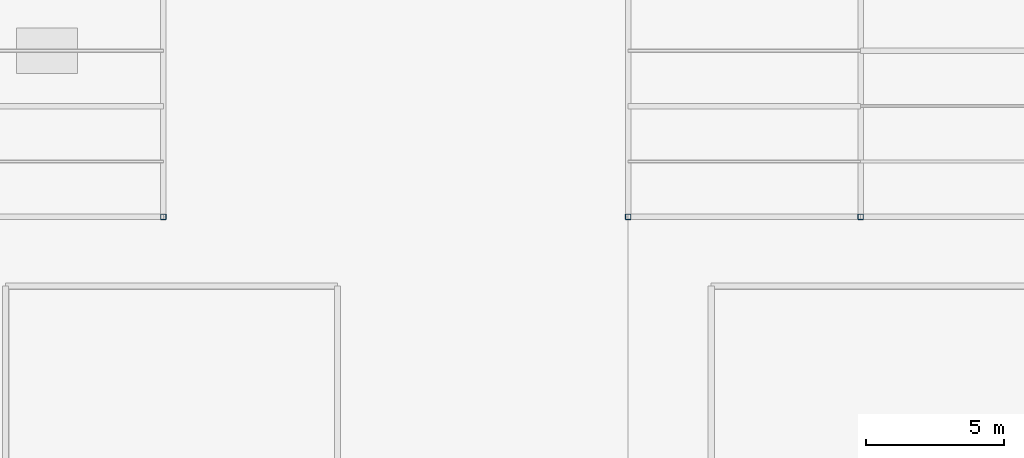
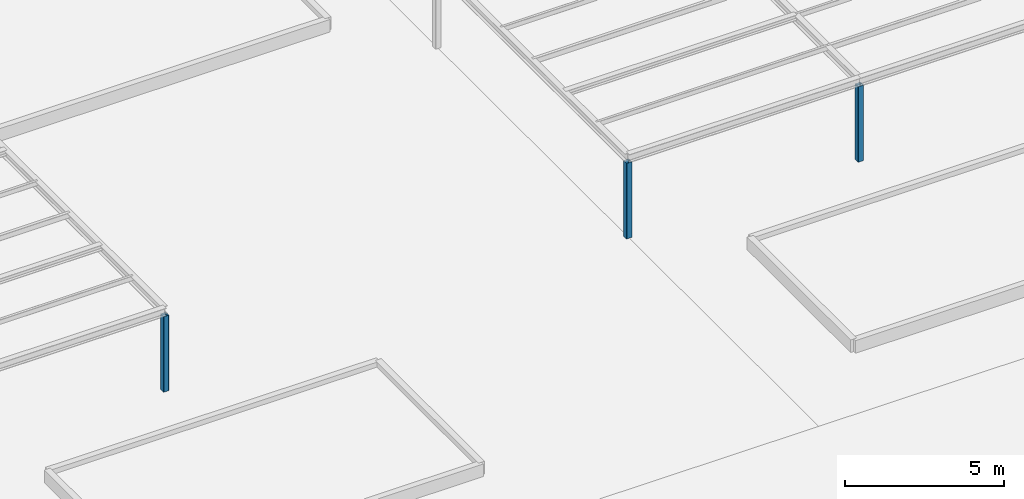
# One storey, part 4 of 49: 3 columns.
"""IFC4 building model written with IfcOpenShell, lengths in metres."""

from ifc_helpers import new_model, si_unit, direction, frame, origin, origin_2d, place, context, subcontext, project, spatial, hollow_rectangle, extrude, material, material_profile, profile_set, type_object, element, save


model = new_model("IFC4")

# Units and contexts
model_context = context("Model", 3, precision=1e-05, world=origin(), true_north=direction((0.0, 1.0)))
body_context = subcontext(model_context, "Body", "Model", "MODEL_VIEW")
ifc_project = project(units=[si_unit("LENGTHUNIT", "METRE"), si_unit("AREAUNIT", "SQUARE_METRE"), si_unit("VOLUMEUNIT", "CUBIC_METRE"), si_unit("PLANEANGLEUNIT", "RADIAN"), si_unit("MASSUNIT", "GRAM", prefix="KILO")], contexts=[model_context])

# Site, building, storey
site_placement = place(None, origin())
site = spatial("IfcSite", under=ifc_project, at=site_placement, CompositionType="ELEMENT")
building_placement = place(site_placement, origin())
building = spatial("IfcBuilding", under=site, at=building_placement, Name="Sitalva Quay Ferry Terminal", CompositionType="ELEMENT")
storey_placement = place(building_placement, frame((0.0, 0.0, 10.199951171875)))
storey = spatial("IfcBuildingStorey", under=building, at=storey_placement, Name="L03", CompositionType="ELEMENT", Elevation=10.199951171875)

# Columns
ifc_material = material(Name="Structural Steel S355JR", Category="steel")
ifc_material_profile = material_profile(ifc_material, hollow_rectangle(XDim=0.199951171875, YDim=0.199951171875, WallThickness=0.010009765625, InnerFilletRadius=0.010009765625, OuterFilletRadius=0.02001953125, at=origin_2d()), Name="SHS200x200x10")
ifc_profile_set = profile_set([ifc_material_profile], Name="Structural Steel S355JR")
column_type = type_object("IfcColumnType", Name="Col_SHS200x10", PredefinedType="COLUMN", material=ifc_profile_set)
for number, where, z_axis, x_axis, name in (
    (1, (109.199951171875, 30.0, 0.0), (0.0, 0.0, 1.0), (1.0, 0.0, 0.0), "L03 column 14E"),
    (2, (126.0, 30.0, 0.0), (0.0, 0.0, 1.0), (1.0, 0.0, 0.0), "L03 column 16E"),
    (3, (134.39990234375, 30.0, 0.0), (0.0, 0.0, 1.0), (1.0, 0.0, 0.0), "L03 column 17E"),
):
    element("IfcColumn", number, at=place(storey_placement, frame(where, z_axis=z_axis, x_axis=x_axis)), inside=storey, type_object=column_type, Name=name, PredefinedType="COLUMN", context=body_context, shape_type="SweptSolid", body=[
        extrude(hollow_rectangle(XDim=0.199951171875, YDim=0.199951171875, WallThickness=0.010009765625, InnerFilletRadius=0.010009765625, OuterFilletRadius=0.02001953125, at=origin_2d()), origin(), (0.0, 0.0, 1.0), 2.89697265625),
    ])

save(model, "model.ifc")
